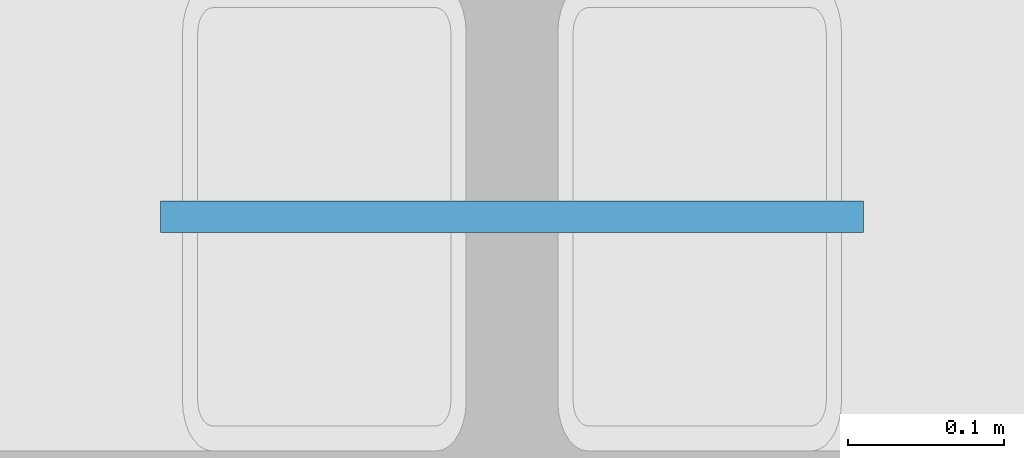
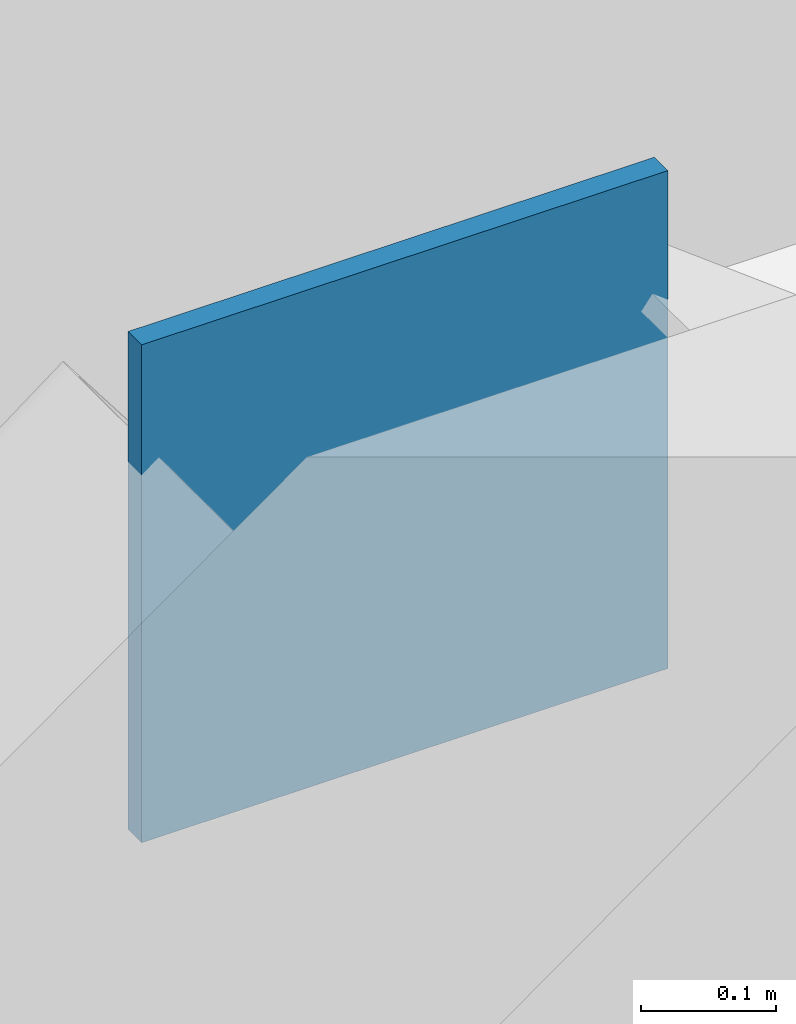
# One storey, part 72 of 100: 1 plate.
"""IFC4 building model written with IfcOpenShell, lengths in metres."""

from ifc_helpers import new_model, si_unit, direction, frame, origin, origin_2d, place, context, subcontext, project, spatial, rectangle, extrude, material, layer, layer_set, type_object, element, save


model = new_model("IFC4")

# Units and contexts
model_context = context("Model", 3, precision=1e-05, world=origin(), true_north=direction((0.0, 1.0)))
body_context = subcontext(model_context, "Body", "Model", "MODEL_VIEW")
ifc_project = project(units=[si_unit("LENGTHUNIT", "METRE"), si_unit("AREAUNIT", "SQUARE_METRE"), si_unit("VOLUMEUNIT", "CUBIC_METRE"), si_unit("PLANEANGLEUNIT", "RADIAN"), si_unit("MASSUNIT", "GRAM", prefix="KILO")], contexts=[model_context])

# Site, building, storey
site_placement = place(None, origin())
site = spatial("IfcSite", under=ifc_project, at=site_placement, CompositionType="ELEMENT")
building_placement = place(site_placement, origin())
building = spatial("IfcBuilding", under=site, at=building_placement, Name="Tasgan Crest Museum", CompositionType="ELEMENT")
storey_placement = place(building_placement, frame((0.0, 0.0, 9.60009765625)))
storey = spatial("IfcBuildingStorey", under=building, at=storey_placement, Name="L02", CompositionType="ELEMENT", Elevation=9.60009765625)

# Plate
ifc_material = material(Name="Steel S355K2", Category="steel")
ifc_layer = layer(ifc_material, 0.02001953125, Name="PL-GUSSET-450")
ifc_layer_set = layer_set([ifc_layer], Name="Steel S355K2")
plate_type = type_object("IfcPlateType", Name="PL-GUSSET-450", PredefinedType="USERDEFINED", material=ifc_layer_set)
plate_placement = place(storey_placement, frame((27.0, 40.0, 4.02490234375), z_axis=(0.0, 0.0, 1.0), x_axis=(1.0, 0.0, 0.0)))
element("IfcPlate", 1, at=plate_placement, inside=storey, type_object=plate_type, Name="Chevron gusset plate L02 E 27.0", ObjectType="GUSSET PLATE", PredefinedType="USERDEFINED", context=body_context, shape_type="SweptSolid", body=[
    extrude(rectangle(XDim=0.449951171875, YDim=0.02001953125, at=origin_2d()), origin(), (0.0, 0.0, 1.0), 0.449951171875),
])

save(model, "model.ifc")
